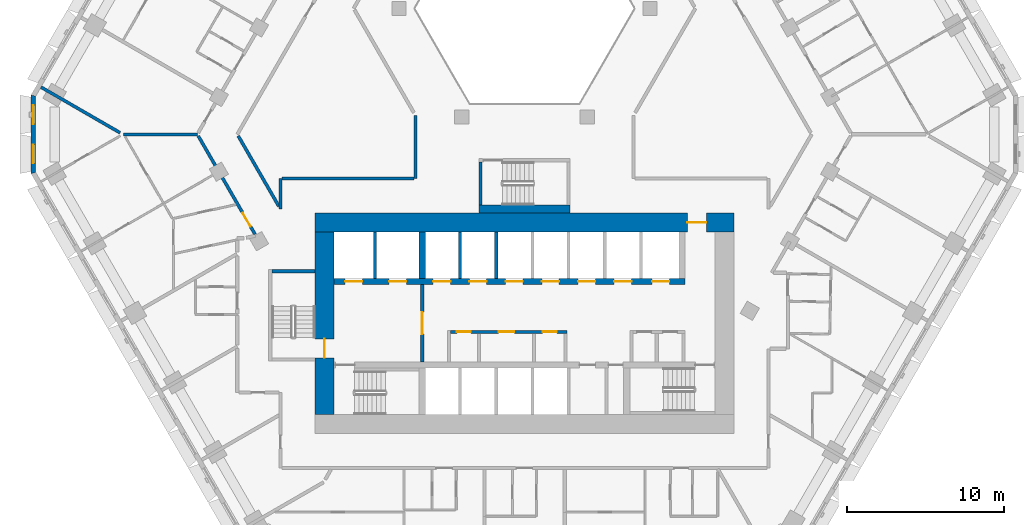
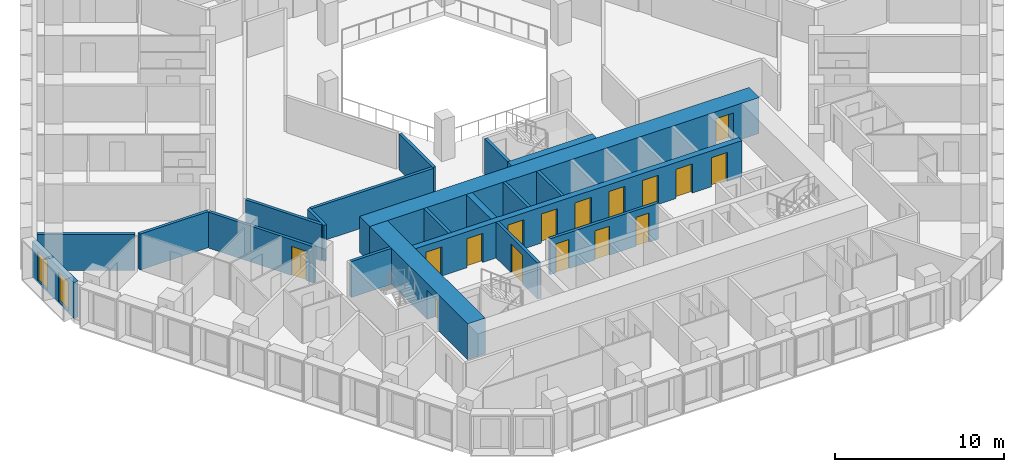
# One storey, part 5 of 21: 20 walls, 16 doors, 2 windows, 18 openings.
"""IFC4 building model written with IfcOpenShell, lengths in metres."""

from ifc_helpers import new_model, si_unit, direction, frame, frame_2d, origin, place, context, subcontext, project, spatial, polyline, rectangle, outline, extrude, material, layer, layer_set, type_object, element, fill, save


model = new_model("IFC4")

# Units and contexts
model_context = context("Model", 3, precision=1e-05, world=origin(), true_north=direction((0.0, 1.0)))
body_context = subcontext(model_context, "Body", "Model", "MODEL_VIEW")
ifc_project = project(units=[si_unit("LENGTHUNIT", "METRE"), si_unit("AREAUNIT", "SQUARE_METRE"), si_unit("VOLUMEUNIT", "CUBIC_METRE"), si_unit("PLANEANGLEUNIT", "RADIAN"), si_unit("MASSUNIT", "GRAM", prefix="KILO")], contexts=[model_context])

# Site, building, storey
site_placement = place(None, origin())
site = spatial("IfcSite", under=ifc_project, at=site_placement, CompositionType="ELEMENT")
building_placement = place(site_placement, origin())
building = spatial("IfcBuilding", under=site, at=building_placement, Name="Beryl Residences", CompositionType="ELEMENT")
storey_placement = place(building_placement, frame((0.0, 0.0, 59.39990234375)))
storey = spatial("IfcBuildingStorey", under=building, at=storey_placement, Name="L18", CompositionType="ELEMENT", Elevation=59.39990234375)

# Wall, openings, windows
ifc_material_1 = material(Name="Composite metal panel with mineral wool insulation")
ifc_layer_1 = layer(ifc_material_1, 0.300048828125)
ifc_layer_set_1 = layer_set([ifc_layer_1], Name="ES1 pale metal composite panel wall 300 mm")
wall_type_1 = type_object("IfcWallType", Name="ES1 pale metal composite panel wall 300 mm", PredefinedType="SOLIDWALL", material=ifc_layer_set_1)
wall_1_placement = place(storey_placement, frame((-31.199951171875, 2.5, 0.0), z_axis=(0.0, 0.0, 1.0), x_axis=(0.0, -1.0, 0.0)))
wall_1 = element("IfcWall", 1, at=wall_1_placement, inside=storey, type_object=wall_type_1, Name="ES1 external wall L18 NW-SW", PredefinedType="SOLIDWALL", context=body_context, shape_type="SweptSolid", body=[
    extrude(outline(polyline([(0.0, -0.14990234375), (5.0, -0.14990234375), (4.919677734375, 0.14990234375), (0.080322265625, 0.14990234375), (0.0, -0.14990234375)])), origin(), (0.0, 0.0, 1.0), 2.60009765625),
])
opening_1_placement = place(wall_1_placement, frame((0.64990234375, 0.0, 0.14990234375)))
opening_1 = element("IfcOpeningElement", 2, at=opening_1_placement, cuts=wall_1, Name="Opening W2", PredefinedType="OPENING", context=body_context, shape_type="SweptSolid", body=[
    extrude(rectangle(XDim=1.199951171875, YDim=2.10009765625, at=frame_2d((0.60009765625, 1.050048828125))), frame((0.0, 0.159912109375, 0.0), z_axis=(0.0, -1.0, 0.0), x_axis=(1.0, 0.0, 0.0)), (0.0, 0.0, 1.0), 0.320068359375),
])
opening_2_placement = place(wall_1_placement, frame((3.14990234375, 0.0, 0.14990234375)))
opening_2 = element("IfcOpeningElement", 3, at=opening_2_placement, cuts=wall_1, Name="Opening W2", PredefinedType="OPENING", context=body_context, shape_type="SweptSolid", body=[
    extrude(rectangle(XDim=1.199951171875, YDim=2.10009765625, at=frame_2d((0.60009765625, 1.050048828125))), frame((0.0, 0.159912109375, 0.0), z_axis=(0.0, -1.0, 0.0), x_axis=(1.0, 0.0, 0.0)), (0.0, 0.0, 1.0), 0.320068359375),
])
ifc_material_2 = material(Name="Aluminium and clear glass", Category="aluminium")
window_type = type_object("IfcWindowType", Name="W2 chamfer window 1200 x 2100 mm", PartitioningType="SINGLE_PANEL", PredefinedType="WINDOW", material=ifc_material_2)
window_1_placement = place(opening_1_placement, origin())
window_1 = element("IfcWindow", 4, at=window_1_placement, inside=storey, type_object=window_type, Name="W2 window L18 NW-SW 1", OverallHeight=2.10009765625, OverallWidth=1.199951171875, PartitioningType="SINGLE_PANEL", PredefinedType="WINDOW", context=body_context, shape_type="SweptSolid", body=[
    extrude(rectangle(XDim=1.199951171875, YDim=2.10009765625, at=frame_2d((0.60009765625, 1.050048828125))), frame((0.0, 0.030029296875, 0.0), z_axis=(0.0, -1.0, 0.0), x_axis=(1.0, 0.0, 0.0)), (0.0, 0.0, 1.0), 0.06005859375),
])
fill(opening_1, window_1)
window_2_placement = place(opening_2_placement, origin())
window_2 = element("IfcWindow", 5, at=window_2_placement, inside=storey, type_object=window_type, Name="W2 window L18 NW-SW 2", OverallHeight=2.10009765625, OverallWidth=1.199951171875, PartitioningType="SINGLE_PANEL", PredefinedType="WINDOW", context=body_context, shape_type="SweptSolid", body=[
    extrude(rectangle(XDim=1.199951171875, YDim=2.10009765625, at=frame_2d((0.60009765625, 1.050048828125))), frame((0.0, 0.030029296875, 0.0), z_axis=(0.0, -1.0, 0.0), x_axis=(1.0, 0.0, 0.0)), (0.0, 0.0, 1.0), 0.06005859375),
])
fill(opening_2, window_2)

# Wall, opening, door
ifc_material_3 = material(Name="Concrete masonry", Category="masonry")
ifc_layer_2 = layer(ifc_material_3, 0.199951171875)
ifc_layer_set_2 = layer_set([ifc_layer_2], Name="PT13 lobby wall 200 mm")
wall_type_2 = type_object("IfcWallType", Name="PT13 lobby wall 200 mm", PredefinedType="PARTITIONING", material=ifc_layer_set_2)
wall_2_placement = place(storey_placement, frame((-6.5, -14.449951171875, 0.0), z_axis=(0.0, 0.0, 1.0), x_axis=(0.0, 1.0, 0.0)))
wall_2 = element("IfcWall", 6, at=wall_2_placement, inside=storey, type_object=wall_type_2, Name="Lobby wall 06", PredefinedType="PARTITIONING", context=body_context, shape_type="SweptSolid", body=[
    extrude(rectangle(XDim=4.89990234375, YDim=0.199951171875, at=frame_2d((2.449951171875, 0.0))), origin(), (0.0, 0.0, 1.0), 2.60009765625),
])
opening_3_placement = place(wall_2_placement, frame((3.14990234375, 0.0, 0.0), z_axis=(0.0, 0.0, 1.0), x_axis=(-1.0, 0.0, 0.0)))
opening_3 = element("IfcOpeningElement", 7, at=opening_3_placement, cuts=wall_2, Name="Opening FD-FFL", PredefinedType="OPENING", context=body_context, shape_type="SweptSolid", body=[
    extrude(rectangle(XDim=1.39990234375, YDim=2.10009765625, at=frame_2d((0.699951171875, 1.050048828125))), frame((0.0, 0.10986328125, 0.0), z_axis=(0.0, -1.0, 0.0), x_axis=(1.0, 0.0, 0.0)), (0.0, 0.0, 1.0), 0.219970703125),
])
ifc_material_4 = material(Name="Steel door leaf in steel frame", Category="steel")
door_type_1 = type_object("IfcDoorType", Name="D5 lobby door 1400 x 2100 mm", OperationType="DOUBLE_DOOR_SINGLE_SWING", PredefinedType="DOOR", material=ifc_material_4)
door_1_placement = place(opening_3_placement, origin())
door_1 = element("IfcDoor", 8, at=door_1_placement, inside=storey, type_object=door_type_1, Name="Door FD-FFL L18 001", OperationType="DOUBLE_DOOR_SINGLE_SWING", OverallHeight=2.10009765625, OverallWidth=1.39990234375, PredefinedType="DOOR", context=body_context, shape_type="SweptSolid", body=[
    extrude(rectangle(XDim=1.39990234375, YDim=2.10009765625, at=frame_2d((0.699951171875, 1.050048828125))), frame((0.0, 0.02490234375, 0.0), z_axis=(0.0, -1.0, 0.0), x_axis=(1.0, 0.0, 0.0)), (0.0, 0.0, 1.0), 0.050048828125),
])
fill(opening_3, door_1)

# Wall, openings, doors
wall_3_placement = place(storey_placement, frame((-4.699951171875, -12.550048828125, 0.0), z_axis=(0.0, 0.0, 1.0), x_axis=(1.0, 0.0, 0.0)))
wall_3 = element("IfcWall", 9, at=wall_3_placement, inside=storey, type_object=wall_type_2, Name="Lobby wall 08", PredefinedType="PARTITIONING", context=body_context, shape_type="SweptSolid", body=[
    extrude(rectangle(XDim=7.39990234375, YDim=0.199951171875, at=frame_2d((3.699951171875, 0.0))), origin(), (0.0, 0.0, 1.0), 2.60009765625),
])
opening_4_placement = place(wall_3_placement, frame((1.2998046875, 0.0, 0.0), z_axis=(0.0, 0.0, 1.0), x_axis=(-1.0, 0.0, 0.0)))
opening_4 = element("IfcOpeningElement", 10, at=opening_4_placement, cuts=wall_3, Name="Opening CD-D-A1-900", PredefinedType="OPENING", context=body_context, shape_type="SweptSolid", body=[
    extrude(rectangle(XDim=0.89990234375, YDim=2.10009765625, at=frame_2d((0.449951171875, 1.050048828125))), frame((0.0, 0.10986328125, 0.0), z_axis=(0.0, -1.0, 0.0), x_axis=(1.0, 0.0, 0.0)), (0.0, 0.0, 1.0), 0.219970703125),
])
opening_5_placement = place(wall_3_placement, frame((4.050048828125, 0.0, 0.0), z_axis=(0.0, 0.0, 1.0), x_axis=(-1.0, 0.0, 0.0)))
opening_5 = element("IfcOpeningElement", 11, at=opening_5_placement, cuts=wall_3, Name="Opening CD-D-A2", PredefinedType="OPENING", context=body_context, shape_type="SweptSolid", body=[
    extrude(rectangle(XDim=1.0, YDim=2.10009765625, at=frame_2d((0.5, 1.050048828125))), frame((0.0, 0.10986328125, 0.0), z_axis=(0.0, -1.0, 0.0), x_axis=(1.0, 0.0, 0.0)), (0.0, 0.0, 1.0), 0.219970703125),
])
opening_6_placement = place(wall_3_placement, frame((6.75, 0.0, 0.0), z_axis=(0.0, 0.0, 1.0), x_axis=(-1.0, 0.0, 0.0)))
opening_6 = element("IfcOpeningElement", 12, at=opening_6_placement, cuts=wall_3, Name="Opening CD-D-A3-900", PredefinedType="OPENING", context=body_context, shape_type="SweptSolid", body=[
    extrude(rectangle(XDim=0.89990234375, YDim=2.10009765625, at=frame_2d((0.449951171875, 1.050048828125))), frame((0.0, 0.10986328125, 0.0), z_axis=(0.0, -1.0, 0.0), x_axis=(1.0, 0.0, 0.0)), (0.0, 0.0, 1.0), 0.219970703125),
])
ifc_material_5 = material(Name="Steel door leaf in steel frame", Category="steel")
door_type_2 = type_object("IfcDoorType", Name="D18 service room door 1000 x 2100 mm", OperationType="SINGLE_SWING_LEFT", PredefinedType="DOOR", material=ifc_material_5)
door_2_placement = place(opening_5_placement, origin())
door_2 = element("IfcDoor", 13, at=door_2_placement, inside=storey, type_object=door_type_2, Name="Door CD-D-A2 L18 001", OperationType="SINGLE_SWING_LEFT", OverallHeight=2.10009765625, OverallWidth=1.0, PredefinedType="DOOR", context=body_context, shape_type="SweptSolid", body=[
    extrude(rectangle(XDim=1.0, YDim=2.10009765625, at=frame_2d((0.5, 1.050048828125))), frame((0.0, 0.02490234375, 0.0), z_axis=(0.0, -1.0, 0.0), x_axis=(1.0, 0.0, 0.0)), (0.0, 0.0, 1.0), 0.050048828125),
])
fill(opening_5, door_2)
ifc_material_6 = material(Name="Steel door leaf in steel frame", Category="steel")
door_type_3 = type_object("IfcDoorType", Name="D6 service room door 900 x 2100 mm", OperationType="SINGLE_SWING_LEFT", PredefinedType="DOOR", material=ifc_material_6)
door_3_placement = place(opening_4_placement, origin())
door_3 = element("IfcDoor", 14, at=door_3_placement, inside=storey, type_object=door_type_3, Name="Door CD-D-A1-900 L18 001", OperationType="SINGLE_SWING_RIGHT", OverallHeight=2.10009765625, OverallWidth=0.89990234375, PredefinedType="DOOR", context=body_context, shape_type="SweptSolid", body=[
    extrude(rectangle(XDim=0.89990234375, YDim=2.10009765625, at=frame_2d((0.449951171875, 1.050048828125))), frame((0.0, 0.02490234375, 0.0), z_axis=(0.0, -1.0, 0.0), x_axis=(1.0, 0.0, 0.0)), (0.0, 0.0, 1.0), 0.050048828125),
])
fill(opening_4, door_3)
door_4_placement = place(opening_6_placement, origin())
door_4 = element("IfcDoor", 15, at=door_4_placement, inside=storey, type_object=door_type_3, Name="Door CD-D-A3-900 L18 001", OperationType="SINGLE_SWING_RIGHT", OverallHeight=2.10009765625, OverallWidth=0.89990234375, PredefinedType="DOOR", context=body_context, shape_type="SweptSolid", body=[
    extrude(rectangle(XDim=0.89990234375, YDim=2.10009765625, at=frame_2d((0.449951171875, 1.050048828125))), frame((0.0, 0.02490234375, 0.0), z_axis=(0.0, -1.0, 0.0), x_axis=(1.0, 0.0, 0.0)), (0.0, 0.0, 1.0), 0.050048828125),
])
fill(opening_6, door_4)

# Walls
ifc_material_7 = material(Name="Acoustic double stud gypsum board wall")
ifc_layer_3 = layer(ifc_material_7, 0.199951171875)
ifc_layer_set_3 = layer_set([ifc_layer_3], Name="PT3 party wall 200 mm acoustic double stud")
wall_type_3 = type_object("IfcWallType", Name="PT3 party wall 200 mm acoustic double stud", PredefinedType="PARTITIONING", material=ifc_layer_set_3)
wall_4_placement = place(storey_placement, frame((-30.716064453125, 2.9990234375, 0.0), z_axis=(0.0, 0.0, 1.0), x_axis=(0.866032775405, -0.499987231761, 0.0)))
element("IfcWall", 16, at=wall_4_placement, inside=storey, type_object=wall_type_3, Name="Wall PT3 L18 009", PredefinedType="PARTITIONING", context=body_context, shape_type="SweptSolid", body=[
    extrude(rectangle(XDim=5.800048828125, YDim=0.199951171875, at=frame_2d((2.89990234375, 0.0))), origin(), (0.0, 0.0, 1.0), 2.60009765625),
])
wall_5_placement = place(storey_placement, frame((-25.47802734375, -0.0009765625, 0.0), z_axis=(0.0, 0.0, 1.0), x_axis=(1.0, 0.0, 0.0)))
element("IfcWall", 17, at=wall_5_placement, inside=storey, type_object=wall_type_3, Name="Wall PT3 L18 014", PredefinedType="PARTITIONING", context=body_context, shape_type="SweptSolid", body=[
    extrude(rectangle(XDim=4.694091796875, YDim=0.199951171875, at=frame_2d((2.34716796875, 0.0))), origin(), (0.0, 0.0, 1.0), 2.60009765625),
])
ifc_material_8 = material(Name="Double stud gypsum board wall")
ifc_layer_4 = layer(ifc_material_8, 0.199951171875)
ifc_layer_set_4 = layer_set([ifc_layer_4], Name="PT4 corridor wall 200 mm double stud")
wall_type_4 = type_object("IfcWallType", Name="PT4 corridor wall 200 mm double stud", PredefinedType="PARTITIONING", material=ifc_layer_set_4)
wall_6_placement = place(storey_placement, frame((-18.18603515625, -0.10107421875, 0.0), z_axis=(0.0, 0.0, 1.0), x_axis=(0.499997591167, -0.86602679452, 0.0)))
element("IfcWall", 18, at=wall_6_placement, inside=storey, type_object=wall_type_4, Name="Wall PT4 L18 002", PredefinedType="PARTITIONING", context=body_context, shape_type="SweptSolid", body=[
    extrude(rectangle(XDim=5.171875, YDim=0.199951171875, at=frame_2d((2.5859375, 0.0))), origin(), (0.0, 0.0, 1.0), 2.60009765625),
])

# Wall, opening, door
wall_7_placement = place(storey_placement, frame((-20.72705078125, -0.10107421875, 0.0), z_axis=(0.0, 0.0, 1.0), x_axis=(0.500049702773, -0.865996705973, 0.0)))
wall_7 = element("IfcWall", 19, at=wall_7_placement, inside=storey, type_object=wall_type_4, Name="Wall PT4 L18 003", PredefinedType="PARTITIONING", context=body_context, shape_type="SweptSolid", body=[
    extrude(rectangle(XDim=7.211181640625, YDim=0.199951171875, at=frame_2d((3.60546875, 0.0))), origin(), (0.0, 0.0, 1.0), 2.60009765625),
])
opening_7_placement = place(wall_7_placement, frame((5.654052734375, 0.0, 0.0)))
opening_7 = element("IfcOpeningElement", 20, at=opening_7_placement, cuts=wall_7, Name="Opening D0345", PredefinedType="OPENING", context=body_context, shape_type="SweptSolid", body=[
    extrude(rectangle(XDim=1.0, YDim=2.10009765625, at=frame_2d((0.5, 1.050048828125))), frame((0.0, 0.10986328125, 0.0), z_axis=(0.0, -1.0, 0.0), x_axis=(1.0, 0.0, 0.0)), (0.0, 0.0, 1.0), 0.219970703125),
])
ifc_material_9 = material(Name="Timber door leaf", Category="wood")
door_type_4 = type_object("IfcDoorType", Name="D1 flat entrance door 1000 x 2100 mm", OperationType="SINGLE_SWING_LEFT", PredefinedType="DOOR", material=ifc_material_9)
door_5_placement = place(opening_7_placement, origin())
door_5 = element("IfcDoor", 21, at=door_5_placement, inside=storey, type_object=door_type_4, Name="Door D0345 L18 001", OperationType="SINGLE_SWING_LEFT", OverallHeight=2.10009765625, OverallWidth=1.0, PredefinedType="DOOR", context=body_context, shape_type="SweptSolid", body=[
    extrude(rectangle(XDim=1.0, YDim=2.10009765625, at=frame_2d((0.5, 1.050048828125))), frame((0.0, 0.02490234375, 0.0), z_axis=(0.0, -1.0, 0.0), x_axis=(1.0, 0.0, 0.0)), (0.0, 0.0, 1.0), 0.050048828125),
])
fill(opening_7, door_5)

# Walls
wall_8_placement = place(storey_placement, frame((-15.39990234375, -2.800048828125, 0.0), z_axis=(0.0, 0.0, 1.0), x_axis=(1.0, 0.0, 0.0)))
element("IfcWall", 22, at=wall_8_placement, inside=storey, type_object=wall_type_4, Name="Wall PT4 L18 013", PredefinedType="PARTITIONING", context=body_context, shape_type="SweptSolid", body=[
    extrude(rectangle(XDim=8.371826171875, YDim=0.199951171875, at=frame_2d((4.18603515625, 0.0))), origin(), (0.0, 0.0, 1.0), 2.60009765625),
])
wall_9_placement = place(storey_placement, frame((-6.927978515625, -2.800048828125, 0.0), z_axis=(0.0, 0.0, 1.0), x_axis=(0.0, 1.0, 0.0)))
element("IfcWall", 23, at=wall_9_placement, inside=storey, type_object=wall_type_4, Name="Wall PT4 L18 029", PredefinedType="PARTITIONING", context=body_context, shape_type="SweptSolid", body=[
    extrude(rectangle(XDim=4.0, YDim=0.199951171875, at=frame_2d((2.0, 0.0))), origin(), (0.0, 0.0, 1.0), 2.60009765625),
])
wall_10_placement = place(storey_placement, frame((-15.5, -4.75390625, 0.0), z_axis=(0.0, 0.0, 1.0), x_axis=(0.0, 1.0, 0.0)))
element("IfcWall", 24, at=wall_10_placement, inside=storey, type_object=wall_type_4, Name="Wall PT4 L18 031", PredefinedType="PARTITIONING", context=body_context, shape_type="SweptSolid", body=[
    extrude(rectangle(XDim=1.953857421875, YDim=0.199951171875, at=frame_2d((0.97705078125, 0.0))), origin(), (0.0, 0.0, 1.0), 2.60009765625),
])
ifc_material_10 = material(Name="Concrete C40/50", Category="concrete")
ifc_layer_5 = layer(ifc_material_10, 0.199951171875)
ifc_layer_set_5 = layer_set([ifc_layer_5], Name="PT5 stair enclosure wall 200 mm reinforced concrete C40/50")
wall_type_5 = type_object("IfcWallType", Name="PT5 stair enclosure wall 200 mm reinforced concrete C40/50", PredefinedType="SOLIDWALL", material=ifc_layer_set_5)
for number, where, z_axis, x_axis, name in (
    (25, (-2.800048828125, -4.5, 0.0), (0.0, 0.0, 1.0), (0.0, 1.0, 0.0), "Wall PT5 L18 002"),
    (26, (-16.050048828125, -8.699951171875, 0.0), (0.0, 0.0, 1.0), (1.0, 0.0, 0.0), "Stair wall 03"),
):
    element("IfcWall", number, at=place(storey_placement, frame(where, z_axis=z_axis, x_axis=x_axis)), inside=storey, type_object=wall_type_5, Name=name, PredefinedType="SOLIDWALL", context=body_context, shape_type="SweptSolid", body=[
        extrude(rectangle(XDim=2.75, YDim=0.199951171875, at=frame_2d((1.375, 0.0))), origin(), (0.0, 0.0, 1.0), 2.60009765625),
    ])
ifc_material_11 = material(Name="Concrete C40/50", Category="concrete")
ifc_layer_6 = layer(ifc_material_11, 0.5)
ifc_layer_set_6 = layer_set([ifc_layer_6], Name="PT5-500 stair enclosure wall 500 mm")
wall_type_6 = type_object("IfcWallType", Name="PT5-500 stair enclosure wall 500 mm", PredefinedType="SOLIDWALL", material=ifc_layer_set_6)
wall_11_placement = place(storey_placement, frame((-2.89990234375, -4.75, 0.0), z_axis=(0.0, 0.0, 1.0), x_axis=(1.0, 0.0, 0.0)))
element("IfcWall", 27, at=wall_11_placement, inside=storey, type_object=wall_type_6, Name="Wall PT5-500 L18 001", PredefinedType="SOLIDWALL", context=body_context, shape_type="SweptSolid", body=[
    extrude(rectangle(XDim=5.7998046875, YDim=0.5, at=frame_2d((2.89990234375, 0.0))), origin(), (0.0, 0.0, 1.0), 2.60009765625),
])
ifc_material_12 = material(Name="Concrete C40/50", Category="concrete")
ifc_layer_7 = layer(ifc_material_12, 0.199951171875)
ifc_layer_set_7 = layer_set([ifc_layer_7], Name="PT6 lift shaft wall 200 mm reinforced concrete C40/50")
wall_type_7 = type_object("IfcWallType", Name="PT6 lift shaft wall 200 mm reinforced concrete C40/50", PredefinedType="SOLIDWALL", material=ifc_layer_set_7)
for number, where, z_axis, x_axis, name in (
    (28, (-9.5, -9.14990234375, 0.0), (0.0, 0.0, 1.0), (0.0, 1.0, 0.0), "Lift shaft wall 05"),
    (29, (-4.10009765625, -9.14990234375, 0.0), (0.0, 0.0, 1.0), (0.0, 1.0, 0.0), "Lift shaft wall 10"),
    (30, (-1.800048828125, -9.14990234375, 0.0), (0.0, 0.0, 1.0), (0.0, 1.0, 0.0), "Lift shaft wall 13"),
):
    element("IfcWall", number, at=place(storey_placement, frame(where, z_axis=z_axis, x_axis=x_axis)), inside=storey, type_object=wall_type_7, Name=name, PredefinedType="SOLIDWALL", context=body_context, shape_type="SweptSolid", body=[
        extrude(rectangle(XDim=2.949951171875, YDim=0.199951171875, at=frame_2d((1.47509765625, 0.0))), origin(), (0.0, 0.0, 1.0), 2.60009765625),
    ])

# Wall, opening, door
ifc_material_13 = material(Name="Concrete C80/95", Category="concrete")
ifc_layer_8 = layer(ifc_material_13, 1.199951171875)
ifc_layer_set_8 = layer_set([ifc_layer_8], Name="SW1 core outer wall 1200 mm C80/95")
wall_type_8 = type_object("IfcWallType", Name="SW1 core outer wall 1200 mm C80/95", PredefinedType="SHEAR", material=ifc_layer_set_8)
wall_12_placement = place(storey_placement, frame((-13.300048828125, -5.60009765625, 0.0), z_axis=(0.0, 0.0, 1.0), x_axis=(1.0, 0.0, 0.0)))
wall_12 = element("IfcWall", 31, at=wall_12_placement, inside=storey, type_object=wall_type_8, Name="Core wall N L18", PredefinedType="SHEAR", context=body_context, shape_type="SweptSolid", body=[
    extrude(rectangle(XDim=26.60009765625, YDim=1.199951171875, at=frame_2d((13.300048828125, 0.0))), origin(), (0.0, 0.0, 1.0), 2.60009765625),
])
opening_8_placement = place(wall_12_placement, frame((23.64990234375, 0.0, 0.0)))
opening_8 = element("IfcOpeningElement", 32, at=opening_8_placement, cuts=wall_12, Name="Opening FD-NORTH", PredefinedType="OPENING", context=body_context, shape_type="SweptSolid", body=[
    extrude(rectangle(XDim=1.199951171875, YDim=2.10009765625, at=frame_2d((0.60009765625, 1.050048828125))), frame((0.0, 0.60986328125, 0.0), z_axis=(0.0, -1.0, 0.0), x_axis=(1.0, 0.0, 0.0)), (0.0, 0.0, 1.0), 1.219970703125),
])
ifc_material_14 = material(Name="Steel door leaf in steel frame", Category="steel")
door_type_5 = type_object("IfcDoorType", Name="D22 lobby door 1200 x 2100 mm", OperationType="DOUBLE_DOOR_SINGLE_SWING", PredefinedType="DOOR", material=ifc_material_14)
door_6_placement = place(opening_8_placement, origin())
door_6 = element("IfcDoor", 33, at=door_6_placement, inside=storey, type_object=door_type_5, Name="Door FD-NORTH L18 001", OperationType="DOUBLE_DOOR_SINGLE_SWING", OverallHeight=2.10009765625, OverallWidth=1.199951171875, PredefinedType="DOOR", context=body_context, shape_type="SweptSolid", body=[
    extrude(rectangle(XDim=1.199951171875, YDim=2.10009765625, at=frame_2d((0.60009765625, 1.050048828125))), frame((0.0, 0.02490234375, 0.0), z_axis=(0.0, -1.0, 0.0), x_axis=(1.0, 0.0, 0.0)), (0.0, 0.0, 1.0), 0.050048828125),
])
fill(opening_8, door_6)

wall_13_placement = place(storey_placement, frame((-12.699951171875, -17.800048828125, 0.0), z_axis=(0.0, 0.0, 1.0), x_axis=(0.0, 1.0, 0.0)))
wall_13 = element("IfcWall", 34, at=wall_13_placement, inside=storey, type_object=wall_type_8, Name="Core wall W L18", PredefinedType="SHEAR", context=body_context, shape_type="SweptSolid", body=[
    extrude(rectangle(XDim=11.60009765625, YDim=1.199951171875, at=frame_2d((5.800048828125, 0.0))), origin(), (0.0, 0.0, 1.0), 2.60009765625),
])
opening_9_placement = place(wall_13_placement, frame((3.60009765625, 0.0, 0.0)))
opening_9 = element("IfcOpeningElement", 35, at=opening_9_placement, cuts=wall_13, Name="Opening SD-2", PredefinedType="OPENING", context=body_context, shape_type="SweptSolid", body=[
    extrude(rectangle(XDim=1.199951171875, YDim=2.10009765625, at=frame_2d((0.60009765625, 1.050048828125))), frame((0.0, 0.60986328125, 0.0), z_axis=(0.0, -1.0, 0.0), x_axis=(1.0, 0.0, 0.0)), (0.0, 0.0, 1.0), 1.219970703125),
])
ifc_material_15 = material(Name="Steel door leaf in steel frame", Category="steel")
door_type_6 = type_object("IfcDoorType", Name="D4 stair door 1200 x 2100 mm", OperationType="SINGLE_SWING_LEFT", PredefinedType="DOOR", material=ifc_material_15)
door_7_placement = place(opening_9_placement, origin())
door_7 = element("IfcDoor", 36, at=door_7_placement, inside=storey, type_object=door_type_6, Name="Door SD-2 L18 001", OperationType="SINGLE_SWING_RIGHT", OverallHeight=2.10009765625, OverallWidth=1.199951171875, PredefinedType="DOOR", context=body_context, shape_type="SweptSolid", body=[
    extrude(rectangle(XDim=1.199951171875, YDim=2.10009765625, at=frame_2d((0.60009765625, 1.050048828125))), frame((0.0, 0.02490234375, 0.0), z_axis=(0.0, -1.0, 0.0), x_axis=(1.0, 0.0, 0.0)), (0.0, 0.0, 1.0), 0.050048828125),
])
fill(opening_9, door_7)

# Wall, openings, doors
ifc_material_16 = material(Name="Concrete C80/95", Category="concrete")
ifc_layer_9 = layer(ifc_material_16, 0.39990234375)
ifc_layer_set_9 = layer_set([ifc_layer_9], Name="SW6 core internal wall 400 mm C80/95")
wall_type_9 = type_object("IfcWallType", Name="SW6 core internal wall 400 mm C80/95", PredefinedType="SHEAR", material=ifc_layer_set_9)
wall_14_placement = place(storey_placement, frame((-12.10009765625, -9.35009765625, 0.0), z_axis=(0.0, 0.0, 1.0), x_axis=(1.0, 0.0, 0.0)))
wall_14 = element("IfcWall", 37, at=wall_14_placement, inside=storey, type_object=wall_type_9, Name="Core wall SP2 L18", PredefinedType="SHEAR", context=body_context, shape_type="SweptSolid", body=[
    extrude(rectangle(XDim=22.300048828125, YDim=0.39990234375, at=frame_2d((11.14990234375, 0.0))), origin(), (0.0, 0.0, 1.0), 2.60009765625),
])
opening_10_placement = place(wall_14_placement, frame((0.699951171875, 0.0, 0.0)))
opening_10 = element("IfcOpeningElement", 38, at=opening_10_placement, cuts=wall_14, Name="Opening LD-FF1", PredefinedType="OPENING", context=body_context, shape_type="SweptSolid", body=[
    extrude(rectangle(XDim=1.10009765625, YDim=2.10009765625, at=frame_2d((0.550048828125, 1.050048828125))), frame((0.0, 0.2099609375, 0.0), z_axis=(0.0, -1.0, 0.0), x_axis=(1.0, 0.0, 0.0)), (0.0, 0.0, 1.0), 0.419921875),
])
opening_11_placement = place(wall_14_placement, frame((3.5, 0.0, 0.0)))
opening_11 = element("IfcOpeningElement", 39, at=opening_11_placement, cuts=wall_14, Name="Opening LD-FF2", PredefinedType="OPENING", context=body_context, shape_type="SweptSolid", body=[
    extrude(rectangle(XDim=1.10009765625, YDim=2.10009765625, at=frame_2d((0.550048828125, 1.050048828125))), frame((0.0, 0.2099609375, 0.0), z_axis=(0.0, -1.0, 0.0), x_axis=(1.0, 0.0, 0.0)), (0.0, 0.0, 1.0), 0.419921875),
])
opening_12_placement = place(wall_14_placement, frame((6.300048828125, 0.0, 0.0)))
opening_12 = element("IfcOpeningElement", 40, at=opening_12_placement, cuts=wall_14, Name="Opening LD-LR1", PredefinedType="OPENING", context=body_context, shape_type="SweptSolid", body=[
    extrude(rectangle(XDim=1.10009765625, YDim=2.10009765625, at=frame_2d((0.550048828125, 1.050048828125))), frame((0.0, 0.2099609375, 0.0), z_axis=(0.0, -1.0, 0.0), x_axis=(1.0, 0.0, 0.0)), (0.0, 0.0, 1.0), 0.419921875),
])
opening_13_placement = place(wall_14_placement, frame((8.60009765625, 0.0, 0.0)))
opening_13 = element("IfcOpeningElement", 41, at=opening_13_placement, cuts=wall_14, Name="Opening LD-LR2", PredefinedType="OPENING", context=body_context, shape_type="SweptSolid", body=[
    extrude(rectangle(XDim=1.10009765625, YDim=2.10009765625, at=frame_2d((0.550048828125, 1.050048828125))), frame((0.0, 0.2099609375, 0.0), z_axis=(0.0, -1.0, 0.0), x_axis=(1.0, 0.0, 0.0)), (0.0, 0.0, 1.0), 0.419921875),
])
opening_14_placement = place(wall_14_placement, frame((10.89990234375, 0.0, 0.0)))
opening_14 = element("IfcOpeningElement", 42, at=opening_14_placement, cuts=wall_14, Name="Opening LD-LR3", PredefinedType="OPENING", context=body_context, shape_type="SweptSolid", body=[
    extrude(rectangle(XDim=1.10009765625, YDim=2.10009765625, at=frame_2d((0.550048828125, 1.050048828125))), frame((0.0, 0.2099609375, 0.0), z_axis=(0.0, -1.0, 0.0), x_axis=(1.0, 0.0, 0.0)), (0.0, 0.0, 1.0), 0.419921875),
])
opening_15_placement = place(wall_14_placement, frame((13.199951171875, 0.0, 0.0)))
opening_15 = element("IfcOpeningElement", 43, at=opening_15_placement, cuts=wall_14, Name="Opening LD-LR4", PredefinedType="OPENING", context=body_context, shape_type="SweptSolid", body=[
    extrude(rectangle(XDim=1.10009765625, YDim=2.10009765625, at=frame_2d((0.550048828125, 1.050048828125))), frame((0.0, 0.2099609375, 0.0), z_axis=(0.0, -1.0, 0.0), x_axis=(1.0, 0.0, 0.0)), (0.0, 0.0, 1.0), 0.419921875),
])
opening_16_placement = place(wall_14_placement, frame((15.5, 0.0, 0.0)))
opening_16 = element("IfcOpeningElement", 44, at=opening_16_placement, cuts=wall_14, Name="Opening LD-LR5", PredefinedType="OPENING", context=body_context, shape_type="SweptSolid", body=[
    extrude(rectangle(XDim=1.10009765625, YDim=2.10009765625, at=frame_2d((0.550048828125, 1.050048828125))), frame((0.0, 0.2099609375, 0.0), z_axis=(0.0, -1.0, 0.0), x_axis=(1.0, 0.0, 0.0)), (0.0, 0.0, 1.0), 0.419921875),
])
opening_17_placement = place(wall_14_placement, frame((17.800048828125, 0.0, 0.0)))
opening_17 = element("IfcOpeningElement", 45, at=opening_17_placement, cuts=wall_14, Name="Opening LD-LR6", PredefinedType="OPENING", context=body_context, shape_type="SweptSolid", body=[
    extrude(rectangle(XDim=1.10009765625, YDim=2.10009765625, at=frame_2d((0.550048828125, 1.050048828125))), frame((0.0, 0.2099609375, 0.0), z_axis=(0.0, -1.0, 0.0), x_axis=(1.0, 0.0, 0.0)), (0.0, 0.0, 1.0), 0.419921875),
])
opening_18_placement = place(wall_14_placement, frame((20.199951171875, 0.0, 0.0)))
opening_18 = element("IfcOpeningElement", 46, at=opening_18_placement, cuts=wall_14, Name="Opening LD-SL1", PredefinedType="OPENING", context=body_context, shape_type="SweptSolid", body=[
    extrude(rectangle(XDim=1.10009765625, YDim=2.10009765625, at=frame_2d((0.550048828125, 1.050048828125))), frame((0.0, 0.2099609375, 0.0), z_axis=(0.0, -1.0, 0.0), x_axis=(1.0, 0.0, 0.0)), (0.0, 0.0, 1.0), 0.419921875),
])
ifc_material_17 = material(Name="Stainless steel sliding door", Category="steel")
door_type_7 = type_object("IfcDoorType", Name="LD1 lift landing door 1100 x 2100 mm", OperationType="DOUBLE_DOOR_SLIDING", PredefinedType="DOOR", material=ifc_material_17)
door_8_placement = place(opening_10_placement, origin())
door_8 = element("IfcDoor", 47, at=door_8_placement, inside=storey, type_object=door_type_7, Name="Lift landing door FF1", OperationType="DOUBLE_DOOR_SLIDING", OverallHeight=2.10009765625, OverallWidth=1.10009765625, PredefinedType="DOOR", context=body_context, shape_type="SweptSolid", body=[
    extrude(rectangle(XDim=1.10009765625, YDim=2.10009765625, at=frame_2d((0.550048828125, 1.050048828125))), frame((0.0, 0.02490234375, 0.0), z_axis=(0.0, -1.0, 0.0), x_axis=(1.0, 0.0, 0.0)), (0.0, 0.0, 1.0), 0.050048828125),
])
fill(opening_10, door_8)
door_9_placement = place(opening_11_placement, origin())
door_9 = element("IfcDoor", 48, at=door_9_placement, inside=storey, type_object=door_type_7, Name="Lift landing door FF2", OperationType="DOUBLE_DOOR_SLIDING", OverallHeight=2.10009765625, OverallWidth=1.10009765625, PredefinedType="DOOR", context=body_context, shape_type="SweptSolid", body=[
    extrude(rectangle(XDim=1.10009765625, YDim=2.10009765625, at=frame_2d((0.550048828125, 1.050048828125))), frame((0.0, 0.02490234375, 0.0), z_axis=(0.0, -1.0, 0.0), x_axis=(1.0, 0.0, 0.0)), (0.0, 0.0, 1.0), 0.050048828125),
])
fill(opening_11, door_9)
door_10_placement = place(opening_12_placement, origin())
door_10 = element("IfcDoor", 49, at=door_10_placement, inside=storey, type_object=door_type_7, Name="Lift landing door LR1", OperationType="DOUBLE_DOOR_SLIDING", OverallHeight=2.10009765625, OverallWidth=1.10009765625, PredefinedType="DOOR", context=body_context, shape_type="SweptSolid", body=[
    extrude(rectangle(XDim=1.10009765625, YDim=2.10009765625, at=frame_2d((0.550048828125, 1.050048828125))), frame((0.0, 0.02490234375, 0.0), z_axis=(0.0, -1.0, 0.0), x_axis=(1.0, 0.0, 0.0)), (0.0, 0.0, 1.0), 0.050048828125),
])
fill(opening_12, door_10)
door_11_placement = place(opening_13_placement, origin())
door_11 = element("IfcDoor", 50, at=door_11_placement, inside=storey, type_object=door_type_7, Name="Lift landing door LR2", OperationType="DOUBLE_DOOR_SLIDING", OverallHeight=2.10009765625, OverallWidth=1.10009765625, PredefinedType="DOOR", context=body_context, shape_type="SweptSolid", body=[
    extrude(rectangle(XDim=1.10009765625, YDim=2.10009765625, at=frame_2d((0.550048828125, 1.050048828125))), frame((0.0, 0.02490234375, 0.0), z_axis=(0.0, -1.0, 0.0), x_axis=(1.0, 0.0, 0.0)), (0.0, 0.0, 1.0), 0.050048828125),
])
fill(opening_13, door_11)
door_12_placement = place(opening_14_placement, origin())
door_12 = element("IfcDoor", 51, at=door_12_placement, inside=storey, type_object=door_type_7, Name="Lift landing door LR3", OperationType="DOUBLE_DOOR_SLIDING", OverallHeight=2.10009765625, OverallWidth=1.10009765625, PredefinedType="DOOR", context=body_context, shape_type="SweptSolid", body=[
    extrude(rectangle(XDim=1.10009765625, YDim=2.10009765625, at=frame_2d((0.550048828125, 1.050048828125))), frame((0.0, 0.02490234375, 0.0), z_axis=(0.0, -1.0, 0.0), x_axis=(1.0, 0.0, 0.0)), (0.0, 0.0, 1.0), 0.050048828125),
])
fill(opening_14, door_12)
door_13_placement = place(opening_15_placement, origin())
door_13 = element("IfcDoor", 52, at=door_13_placement, inside=storey, type_object=door_type_7, Name="Lift landing door LR4", OperationType="DOUBLE_DOOR_SLIDING", OverallHeight=2.10009765625, OverallWidth=1.10009765625, PredefinedType="DOOR", context=body_context, shape_type="SweptSolid", body=[
    extrude(rectangle(XDim=1.10009765625, YDim=2.10009765625, at=frame_2d((0.550048828125, 1.050048828125))), frame((0.0, 0.02490234375, 0.0), z_axis=(0.0, -1.0, 0.0), x_axis=(1.0, 0.0, 0.0)), (0.0, 0.0, 1.0), 0.050048828125),
])
fill(opening_15, door_13)
door_14_placement = place(opening_16_placement, origin())
door_14 = element("IfcDoor", 53, at=door_14_placement, inside=storey, type_object=door_type_7, Name="Lift landing door LR5", OperationType="DOUBLE_DOOR_SLIDING", OverallHeight=2.10009765625, OverallWidth=1.10009765625, PredefinedType="DOOR", context=body_context, shape_type="SweptSolid", body=[
    extrude(rectangle(XDim=1.10009765625, YDim=2.10009765625, at=frame_2d((0.550048828125, 1.050048828125))), frame((0.0, 0.02490234375, 0.0), z_axis=(0.0, -1.0, 0.0), x_axis=(1.0, 0.0, 0.0)), (0.0, 0.0, 1.0), 0.050048828125),
])
fill(opening_16, door_14)
door_15_placement = place(opening_17_placement, origin())
door_15 = element("IfcDoor", 54, at=door_15_placement, inside=storey, type_object=door_type_7, Name="Lift landing door LR6", OperationType="DOUBLE_DOOR_SLIDING", OverallHeight=2.10009765625, OverallWidth=1.10009765625, PredefinedType="DOOR", context=body_context, shape_type="SweptSolid", body=[
    extrude(rectangle(XDim=1.10009765625, YDim=2.10009765625, at=frame_2d((0.550048828125, 1.050048828125))), frame((0.0, 0.02490234375, 0.0), z_axis=(0.0, -1.0, 0.0), x_axis=(1.0, 0.0, 0.0)), (0.0, 0.0, 1.0), 0.050048828125),
])
fill(opening_17, door_15)
door_16_placement = place(opening_18_placement, origin())
door_16 = element("IfcDoor", 55, at=door_16_placement, inside=storey, type_object=door_type_7, Name="Lift landing door SL1", OperationType="DOUBLE_DOOR_SLIDING", OverallHeight=2.10009765625, OverallWidth=1.10009765625, PredefinedType="DOOR", context=body_context, shape_type="SweptSolid", body=[
    extrude(rectangle(XDim=1.10009765625, YDim=2.10009765625, at=frame_2d((0.550048828125, 1.050048828125))), frame((0.0, 0.02490234375, 0.0), z_axis=(0.0, -1.0, 0.0), x_axis=(1.0, 0.0, 0.0)), (0.0, 0.0, 1.0), 0.050048828125),
])
fill(opening_18, door_16)

# Wall
wall_15_placement = place(storey_placement, frame((-6.5, -9.14990234375, 0.0), z_axis=(0.0, 0.0, 1.0), x_axis=(0.0, 1.0, 0.0)))
element("IfcWall", 56, at=wall_15_placement, inside=storey, type_object=wall_type_9, Name="Core wall XN1 L18", PredefinedType="SHEAR", context=body_context, shape_type="SweptSolid", body=[
    extrude(rectangle(XDim=2.949951171875, YDim=0.39990234375, at=frame_2d((1.47509765625, 0.0))), origin(), (0.0, 0.0, 1.0), 2.60009765625),
])

save(model, "model.ifc")
